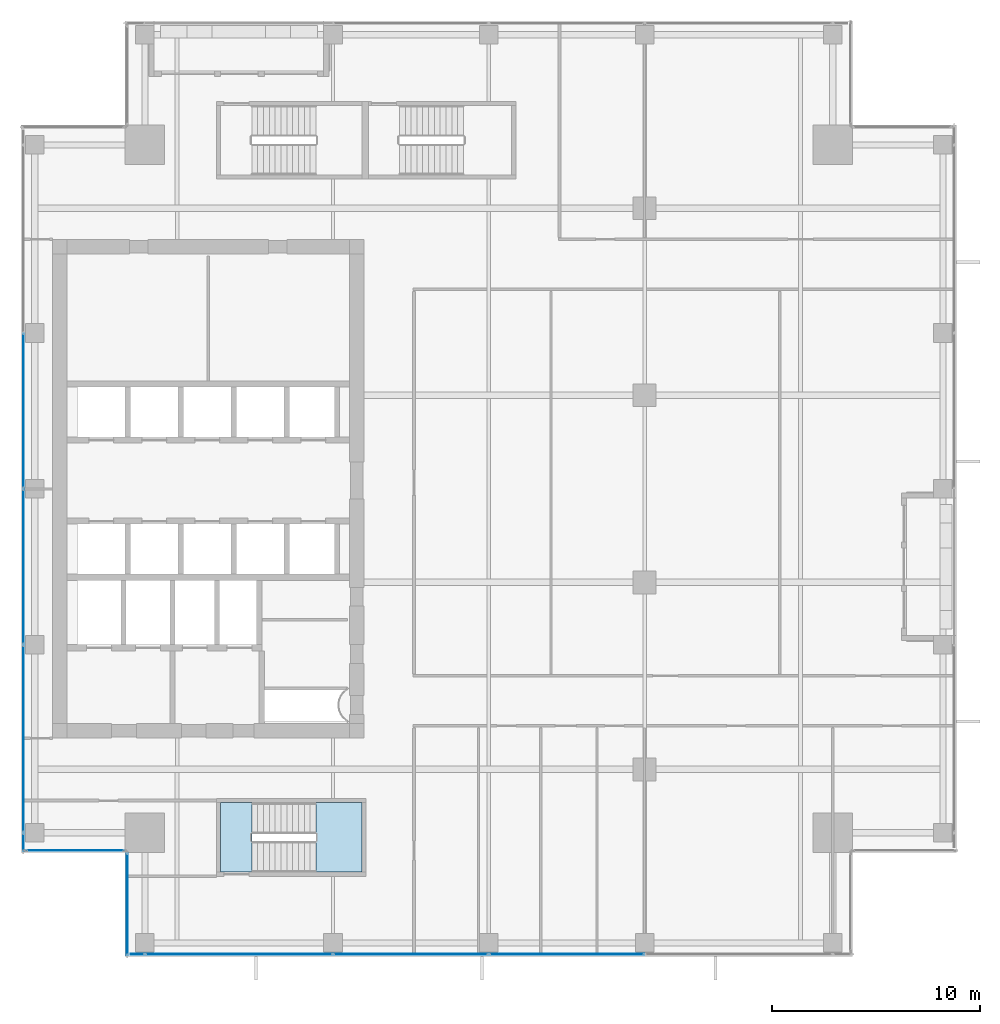
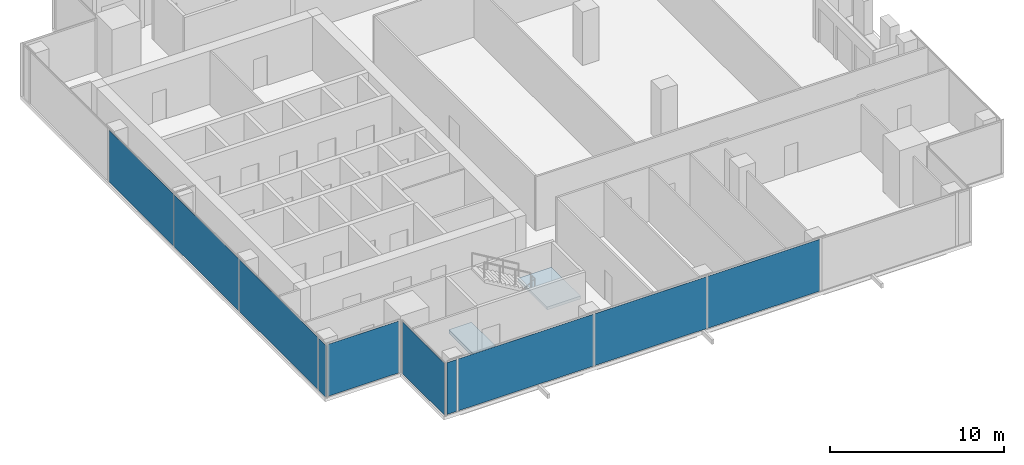
# One storey, part 26 of 36: 10 plates, 2 slabs, 5 elements without a shape of their own.
"""IFC4 building model written with IfcOpenShell, lengths in metres."""

from ifc_helpers import new_model, si_unit, direction, frame, origin, origin_2d, place, context, subcontext, project, spatial, polyline, rectangle, outline, extrude, source, transform, mapped, material, layer, layer_set, type_object, element, aggregate, save


model = new_model("IFC4")

# Units and contexts
model_context = context("Model", 3, precision=1e-05, world=origin(), true_north=direction((0.0, 1.0)))
body_context = subcontext(model_context, "Body", "Model", "MODEL_VIEW")
ifc_project = project(units=[si_unit("LENGTHUNIT", "METRE"), si_unit("AREAUNIT", "SQUARE_METRE"), si_unit("VOLUMEUNIT", "CUBIC_METRE"), si_unit("PLANEANGLEUNIT", "RADIAN"), si_unit("MASSUNIT", "GRAM", prefix="KILO")], contexts=[model_context])

# Site, building, storey
site_placement = place(None, origin())
site = spatial("IfcSite", under=ifc_project, at=site_placement, CompositionType="ELEMENT")
building_placement = place(site_placement, origin())
building = spatial("IfcBuilding", under=site, at=building_placement, Name="Khomas Fold Tower", CompositionType="ELEMENT")
storey_placement = place(building_placement, frame((0.0, 0.0, 226.199951171875)))
storey = spatial("IfcBuildingStorey", under=building, at=storey_placement, Name="L50", CompositionType="ELEMENT", Elevation=226.199951171875)

# Curtain wall, plates
ifc_material_1 = material(Name="Aluminium framed double glazing", Category="aluminium")
curtain_wall_type = type_object("IfcCurtainWallType", Name="SK-Unitised clear-glass wall, office floors CW2", PredefinedType="NOTDEFINED", material=ifc_material_1)
curtain_wall_1_placement = place(storey_placement, origin())
curtain_wall_1 = element("IfcCurtainWall", 1, at=curtain_wall_1_placement, inside=storey, type_object=curtain_wall_type, Name="CW2 run L50 00-0", PredefinedType="NOTDEFINED")
ifc_material_2 = material(Name="Clear double glazed unit")
ifc_layer_1 = layer(ifc_material_2, 0.030029296875)
ifc_layer_set_1 = layer_set([ifc_layer_1], Name="Clear double glazed unit")
plate_type = type_object("IfcPlateType", Name="SK-Unitised clear-glass wall, office floors glass panel CW2-P", PredefinedType="CURTAIN_PANEL", material=ifc_layer_set_1)
shared_shape_1 = source(origin(), body_context, "Body", "SweptSolid", [
    extrude(rectangle(XDim=0.659912109375, YDim=0.030029296875, at=origin_2d()), origin(), (0.0, 0.0, 1.0), 3.639892578125),
])
plate_1_placement = place(storey_placement, frame((10.090087890625, 4.60009765625, 0.0), z_axis=(0.0, 0.0, 1.0), x_axis=(1.0, 0.0, 0.0)))
plate_1 = element("IfcPlate", 2, at=plate_1_placement, type_object=plate_type, Name="CW2 glass panel 1", PredefinedType="CURTAIN_PANEL", context=body_context, shape_type="MappedRepresentation", body=[
    mapped(shared_shape_1, transform((0.0, 0.0, 0.0))),
])
shared_shape_2 = source(origin(), body_context, "Body", "SweptSolid", [
    extrude(rectangle(XDim=7.43994140625, YDim=0.030029296875, at=origin_2d()), origin(), (0.0, 0.0, 1.0), 3.639892578125),
])
plate_2_placement = place(storey_placement, frame((23.25, 4.60009765625, 0.0), z_axis=(0.0, 0.0, 1.0), x_axis=(1.0, 0.0, 0.0)))
plate_2 = element("IfcPlate", 3, at=plate_2_placement, type_object=plate_type, Name="CW2 glass panel 3", PredefinedType="CURTAIN_PANEL", context=body_context, shape_type="MappedRepresentation", body=[
    mapped(shared_shape_2, transform((0.0, 0.0, 0.0))),
])
plate_3_placement = place(storey_placement, frame((30.75, 4.60009765625, 0.0), z_axis=(0.0, 0.0, 1.0), x_axis=(1.0, 0.0, 0.0)))
plate_3 = element("IfcPlate", 4, at=plate_3_placement, type_object=plate_type, Name="CW2 glass panel 4", PredefinedType="CURTAIN_PANEL", context=body_context, shape_type="MappedRepresentation", body=[
    mapped(shared_shape_2, transform((0.0, 0.0, 0.0))),
])

curtain_wall_2_placement = place(storey_placement, origin())
curtain_wall_2 = element("IfcCurtainWall", 5, at=curtain_wall_2_placement, inside=storey, type_object=curtain_wall_type, Name="CW2 run L50 09-0", PredefinedType="NOTDEFINED")
plate_4_placement = place(storey_placement, frame((4.60009765625, 30.75, 0.0), z_axis=(0.0, 0.0, 1.0), x_axis=(0.0, -1.0, 0.0)))
plate_4 = element("IfcPlate", 6, at=plate_4_placement, type_object=plate_type, Name="CW2 glass panel 3", PredefinedType="CURTAIN_PANEL", context=body_context, shape_type="MappedRepresentation", body=[
    mapped(shared_shape_2, transform((0.0, 0.0, 0.0))),
])
plate_5_placement = place(storey_placement, frame((4.60009765625, 23.25, 0.0), z_axis=(0.0, 0.0, 1.0), x_axis=(0.0, -1.0, 0.0)))
plate_5 = element("IfcPlate", 7, at=plate_5_placement, type_object=plate_type, Name="CW2 glass panel 4", PredefinedType="CURTAIN_PANEL", context=body_context, shape_type="MappedRepresentation", body=[
    mapped(shared_shape_2, transform((0.0, 0.0, 0.0))),
])
shared_shape_3 = source(origin(), body_context, "Body", "SweptSolid", [
    extrude(rectangle(XDim=0.860107421875, YDim=0.030029296875, at=origin_2d()), origin(), (0.0, 0.0, 1.0), 3.639892578125),
])
plate_6_placement = place(storey_placement, frame((4.60009765625, 9.989990234375, 0.0), z_axis=(0.0, 0.0, 1.0), x_axis=(0.0, -1.0, 0.0)))
plate_6 = element("IfcPlate", 8, at=plate_6_placement, type_object=plate_type, Name="CW2 glass panel 6", PredefinedType="CURTAIN_PANEL", context=body_context, shape_type="MappedRepresentation", body=[
    mapped(shared_shape_3, transform((0.0, 0.0, 0.0))),
])

# Plate
shared_shape_4 = source(origin(), body_context, "Body", "SweptSolid", [
    extrude(rectangle(XDim=8.989990234375, YDim=0.030029296875, at=origin_2d()), origin(), (0.0, 0.0, 1.0), 3.639892578125),
])
plate_7_placement = place(storey_placement, frame((14.97509765625, 4.60009765625, 0.0), z_axis=(0.0, 0.0, 1.0), x_axis=(1.0, 0.0, 0.0)))
plate_7 = element("IfcPlate", 9, at=plate_7_placement, type_object=plate_type, Name="CW2 glass panel 2", PredefinedType="CURTAIN_PANEL", context=body_context, shape_type="MappedRepresentation", body=[
    mapped(shared_shape_4, transform((0.0, 0.0, 0.0))),
])

aggregate(curtain_wall_1, [plate_1, plate_7, plate_2, plate_3])

plate_8_placement = place(storey_placement, frame((4.60009765625, 14.97509765625, 0.0), z_axis=(0.0, 0.0, 1.0), x_axis=(0.0, -1.0, 0.0)))
plate_8 = element("IfcPlate", 10, at=plate_8_placement, type_object=plate_type, Name="CW2 glass panel 5", PredefinedType="CURTAIN_PANEL", context=body_context, shape_type="MappedRepresentation", body=[
    mapped(shared_shape_4, transform((0.0, 0.0, 0.0))),
])

aggregate(curtain_wall_2, [plate_4, plate_5, plate_8, plate_6])

# Curtain wall, plate
curtain_wall_3_placement = place(storey_placement, origin())
curtain_wall_3 = element("IfcCurtainWall", 11, at=curtain_wall_3_placement, inside=storey, type_object=curtain_wall_type, Name="CW2 corner return L50 10", PredefinedType="NOTDEFINED")
shared_shape_5 = source(origin(), body_context, "Body", "SweptSolid", [
    extrude(rectangle(XDim=4.679931640625, YDim=0.030029296875, at=origin_2d()), origin(), (0.0, 0.0, 1.0), 3.639892578125),
])
plate_9_placement = place(storey_placement, frame((7.10009765625, 9.60009765625, 0.0), z_axis=(0.0, 0.0, 1.0), x_axis=(1.0, 0.0, 0.0)))
plate_9 = element("IfcPlate", 12, at=plate_9_placement, type_object=plate_type, Name="CW2 glass panel 1", PredefinedType="CURTAIN_PANEL", context=body_context, shape_type="MappedRepresentation", body=[
    mapped(shared_shape_5, transform((0.0, 0.0, 0.0))),
])
aggregate(curtain_wall_3, [plate_9])

curtain_wall_4_placement = place(storey_placement, origin())
curtain_wall_4 = element("IfcCurtainWall", 13, at=curtain_wall_4_placement, inside=storey, type_object=curtain_wall_type, Name="CW2 corner return L50 11", PredefinedType="NOTDEFINED")
shared_shape_6 = source(origin(), body_context, "Body", "SweptSolid", [
    extrude(rectangle(XDim=4.8798828125, YDim=0.030029296875, at=origin_2d()), origin(), (0.0, 0.0, 1.0), 3.639892578125),
])
plate_10_placement = place(storey_placement, frame((9.60009765625, 7.0, 0.0), z_axis=(0.0, 0.0, 1.0), x_axis=(0.0, -1.0, 0.0)))
plate_10 = element("IfcPlate", 14, at=plate_10_placement, type_object=plate_type, Name="CW2 glass panel 1", PredefinedType="CURTAIN_PANEL", context=body_context, shape_type="MappedRepresentation", body=[
    mapped(shared_shape_6, transform((0.0, 0.0, 0.0))),
])
aggregate(curtain_wall_4, [plate_10])

# Stair, slab
ifc_material_3 = material(Name="Concrete C40/50", Category="concrete")
stair_type = type_object("IfcStairType", Name="Stair ST2", PredefinedType="HALF_TURN_STAIR", material=ifc_material_3)
stair_placement = place(storey_placement, origin())
stair = element("IfcStair", 15, at=stair_placement, inside=storey, type_object=stair_type, Name="L50 ST2", PredefinedType="HALF_TURN_STAIR")
ifc_material_4 = material(Name="Concrete C40/50", Category="concrete")
ifc_layer_2 = layer(ifc_material_4, 0.199951171875)
ifc_layer_set_2 = layer_set([ifc_layer_2], Name="Concrete C40/50")
slab_type_1 = type_object("IfcSlabType", Name="Stair landing 200", PredefinedType="LANDING", material=ifc_layer_set_2)
shared_shape_7 = source(origin(), body_context, "Body", "SweptSolid", [
    extrude(outline(polyline([(18.679931640625, 8.550048828125), (20.89990234375, 8.550048828125), (20.89990234375, 11.89990234375), (18.679931640625, 11.89990234375), (18.679931640625, 8.550048828125)])), origin(), (0.0, 0.0, 1.0), 0.199951171875),
])
slab_1_placement = place(storey_placement, frame((0.0, 0.0, 1.800048828125)))
slab_1 = element("IfcSlab", 16, at=slab_1_placement, type_object=slab_type_1, Name="ST2 landing 1", PredefinedType="LANDING", context=body_context, shape_type="MappedRepresentation", body=[
    mapped(shared_shape_7, transform((0.0, 0.0, 0.0))),
])
aggregate(stair, [slab_1])

# Slab
ifc_material_5 = material(Name="Concrete C40/50", Category="concrete")
ifc_layer_3 = layer(ifc_material_5, 0.25)
ifc_layer_set_3 = layer_set([ifc_layer_3], Name="Concrete C40/50")
slab_type_2 = type_object("IfcSlabType", Name="Stair floor landing 250", PredefinedType="LANDING", material=ifc_layer_set_3)
shared_shape_8 = source(origin(), body_context, "Body", "SweptSolid", [
    extrude(outline(polyline([(15.60009765625, 8.550048828125), (14.10009765625, 8.550048828125), (14.10009765625, 11.89990234375), (15.60009765625, 11.89990234375), (15.60009765625, 8.550048828125)])), origin(), (0.0, 0.0, 1.0), 0.25),
])
slab_2_placement = place(storey_placement, frame((0.0, 0.0, -0.25)))
element("IfcSlab", 17, at=slab_2_placement, inside=storey, type_object=slab_type_2, Name="ST2 floor landing", PredefinedType="LANDING", context=body_context, shape_type="MappedRepresentation", body=[
    mapped(shared_shape_8, transform((0.0, 0.0, 0.0))),
])

save(model, "model.ifc")
